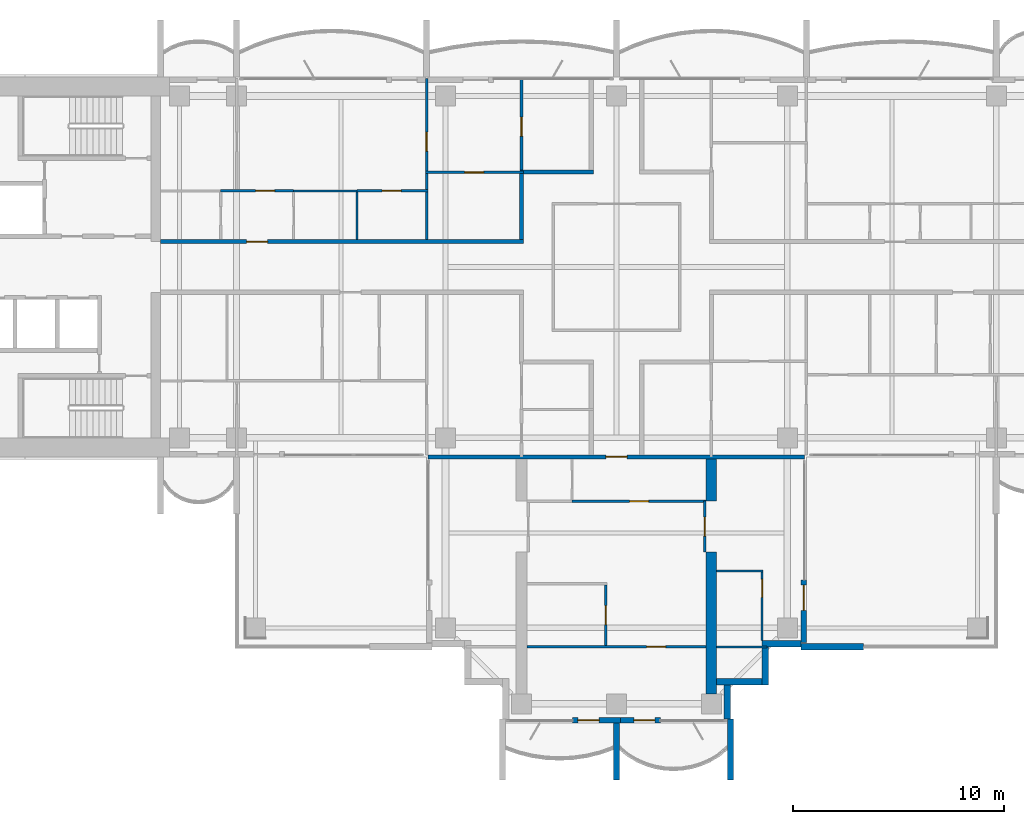
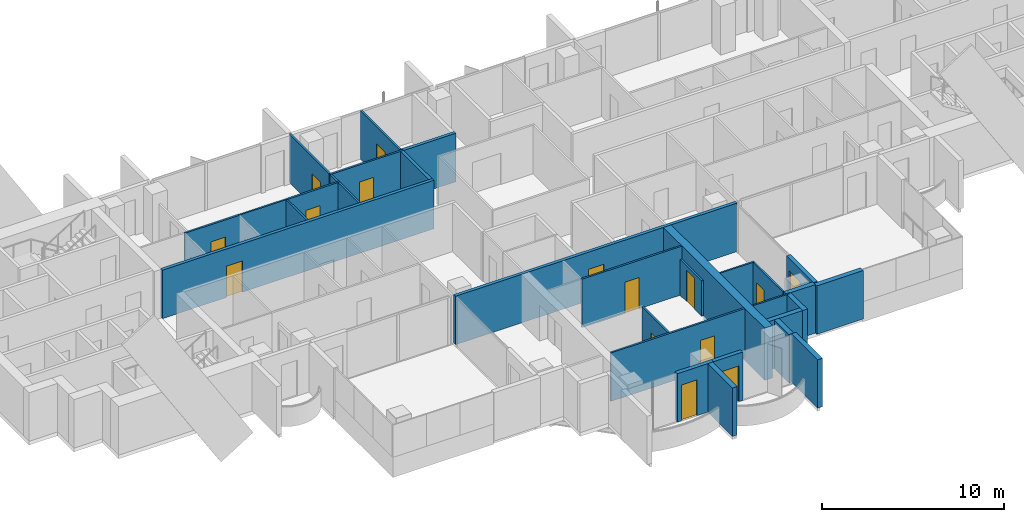
# One storey, part 10 of 17: 29 walls, 15 doors, 15 openings.
"""IFC4 building model written with IfcOpenShell, lengths in metres."""

import ifcopenshell
import ifcopenshell.guid

model = None  # the IFC model being written
_history = None  # IfcOwnerHistory: only IFC2X3 demands one
_inside = {}  # id of a spatial element -> (the spatial element, [elements in it])
_under = {}  # id of a project, library or spatial element -> (it, [spatial elements below it])
_declared = {}  # id of a project -> (the project, [libraries it declares])
_typed = {}  # id of a type object -> (the type object, [elements of that type])
_made_of = {}  # id of a material, layer set ... -> (it, [elements and type objects made of it])


def new_model(schema):
    """Start an empty IFC model of exactly this schema.

    Asked for "IFC4X3", IfcOpenShell would pick the latest addendum, in which some entities
    have other attributes; the version numbers below select the first issue.
    IFC2X3 requires an IfcOwnerHistory on every rooted entity: one is made here for all.
    """
    global model, _history
    if schema == "IFC4X3":
        model = ifcopenshell.file(schema_version=(4, 3, 0, 0))
    else:
        model = ifcopenshell.file(schema=schema)
    _inside.clear()
    _under.clear()
    _declared.clear()
    _typed.clear()
    _made_of.clear()
    _history = None
    if model.schema == "IFC2X3":
        org = make("IfcOrganization", Name="unknown")
        user = make(
            "IfcPersonAndOrganization",
            ThePerson=make("IfcPerson", FamilyName="unknown"),
            TheOrganization=org,
        )
        app = make(
            "IfcApplication",
            ApplicationDeveloper=org,
            Version="unknown",
            ApplicationFullName="unknown",
            ApplicationIdentifier="unknown",
        )
        _history = make(
            "IfcOwnerHistory",
            OwningUser=user,
            OwningApplication=app,
            ChangeAction="ADDED",
            CreationDate=0,
        )
    return model


def make(cls, **values):
    """One entity of the class cls with the attributes given. An attribute that is None is left unset."""
    return model.create_entity(
        cls, **{name: value for name, value in values.items() if value is not None}
    )


def rooted(cls, **values):
    """An entity with a GlobalId (a new one), such as an element, a storey or a relation."""
    return make(cls, GlobalId=ifcopenshell.guid.new(), OwnerHistory=_history, **values)


def si_unit(unit_type, name, prefix=None):
    """IfcSIUnit, for example si_unit("LENGTHUNIT", "METRE", prefix="MILLI")."""
    return make("IfcSIUnit", UnitType=unit_type, Prefix=prefix, Name=name)


def assignment(units):
    """IfcUnitAssignment: the units of a project."""
    return None if units is None else make("IfcUnitAssignment", Units=units)


def point(xyz):
    """IfcCartesianPoint."""
    return None if xyz is None else make("IfcCartesianPoint", Coordinates=xyz)


def direction(xyz):
    """IfcDirection."""
    return None if xyz is None else make("IfcDirection", DirectionRatios=xyz)


def frame(location, z_axis=None, x_axis=None):
    """IfcAxis2Placement3D, a coordinate frame: its origin and axes. An axis left out is left unset."""
    return make(
        "IfcAxis2Placement3D",
        Location=point(location),
        Axis=direction(z_axis),
        RefDirection=direction(x_axis),
    )


def frame_2d(location, x_axis=None):
    """IfcAxis2Placement2D, a coordinate frame in the plane: its origin and x axis."""
    return make(
        "IfcAxis2Placement2D", Location=point(location), RefDirection=direction(x_axis)
    )


def origin():
    """The frame at (0, 0, 0) with its axes left unset."""
    return frame((0.0, 0.0, 0.0))


def place(relative_to, where):
    """IfcLocalPlacement: puts the frame where relative to a parent placement (None: the world)."""
    return make(
        "IfcLocalPlacement", PlacementRelTo=relative_to, RelativePlacement=where
    )


def context(
    kind, dimensions, precision=None, world=None, true_north=None, identifier=None
):
    """IfcGeometricRepresentationContext, for example the 3D "Model" context."""
    return make(
        "IfcGeometricRepresentationContext",
        ContextIdentifier=identifier,
        ContextType=kind,
        CoordinateSpaceDimension=dimensions,
        Precision=precision,
        WorldCoordinateSystem=world,
        TrueNorth=true_north,
    )


def subcontext(parent, identifier, kind, view, scale=None):
    """IfcGeometricRepresentationSubContext, for example "Body" below "Model"."""
    return make(
        "IfcGeometricRepresentationSubContext",
        ContextIdentifier=identifier,
        ContextType=kind,
        ParentContext=parent,
        TargetScale=scale,
        TargetView=view,
    )


def project(units=None, contexts=None):
    """IfcProject with its units and contexts."""
    return rooted(
        "IfcProject",
        Name="project",
        RepresentationContexts=contexts,
        UnitsInContext=assignment(units),
    )


def spatial(cls, under=None, at=None, **own):
    """A site, building, storey or space (cls), placed at a placement, below another one or the project."""
    s = rooted(cls, ObjectPlacement=at, **own)
    if under is not None:
        _under.setdefault(under.id(), (under, []))[1].append(s)
    return s


def polyline(points):
    """IfcPolyline through the points."""
    return make("IfcPolyline", Points=[point(p) for p in points])


def profile(cls, at=None, kind="AREA", **sizes):
    """A parametric profile (cls). Its sizes go by their IFC names, for example OverallWidth=200.0."""
    return make(cls, ProfileType=kind, Position=at, **sizes)


def rectangle(**sizes):
    """IfcRectangleProfileDef."""
    return profile("IfcRectangleProfileDef", **sizes)


def outline(outer, holes=None, kind="AREA"):
    """IfcArbitraryClosedProfileDef: a profile drawn as a closed curve; with holes, ...WithVoids."""
    if holes is None:
        return make("IfcArbitraryClosedProfileDef", ProfileType=kind, OuterCurve=outer)
    return make(
        "IfcArbitraryProfileDefWithVoids",
        ProfileType=kind,
        OuterCurve=outer,
        InnerCurves=holes,
    )


def extrude(swept, where, along, depth):
    """IfcExtrudedAreaSolid: the profile swept, set in the frame where, extruded along a direction by depth."""
    return make(
        "IfcExtrudedAreaSolid",
        SweptArea=swept,
        Position=where,
        ExtrudedDirection=direction(along),
        Depth=depth,
    )


def shape(context_of_items, identifier, shape_type, items):
    """IfcShapeRepresentation: the items that make up one representation, for example the "Body"."""
    return make(
        "IfcShapeRepresentation",
        ContextOfItems=context_of_items,
        RepresentationIdentifier=identifier,
        RepresentationType=shape_type,
        Items=items,
    )


def material(Name=None, Category=None):
    """IfcMaterial."""
    return make("IfcMaterial", Name=Name, Category=Category)


def layer(
    of_material, thickness, ventilated=None, Name=None, Category=None, Priority=None
):
    """IfcMaterialLayer: one layer of a wall or slab, of a material (None: an air gap)."""
    return make(
        "IfcMaterialLayer",
        Material=of_material,
        LayerThickness=thickness,
        IsVentilated=ventilated,
        Name=Name,
        Category=Category,
        Priority=Priority,
    )


def layer_set(layers, Name=None):
    """IfcMaterialLayerSet."""
    return make("IfcMaterialLayerSet", MaterialLayers=layers, LayerSetName=Name)


def material_profile(
    of_material, cross_section, Name=None, Category=None, Priority=None
):
    """IfcMaterialProfile: a cross section and its material."""
    return make(
        "IfcMaterialProfile",
        Name=Name,
        Material=of_material,
        Profile=cross_section,
        Priority=Priority,
        Category=Category,
    )


def profile_set(profiles, Name=None, composite=None):
    """IfcMaterialProfileSet."""
    return make(
        "IfcMaterialProfileSet",
        Name=Name,
        MaterialProfiles=profiles,
        CompositeProfile=composite,
    )


def made_of(thing, what):
    """Note that an element or type object is made of a material, layer set ...; save() writes the relation."""
    if what is not None:
        _made_of.setdefault(what.id(), (what, []))[1].append(thing)
    return thing


def type_object(cls, material=None, **own):
    """A type object (cls), such as IfcWallType, which elements share."""
    return made_of(rooted(cls, **own), material)


def element(
    cls,
    number,
    at=None,
    inside=None,
    cuts=None,
    type_object=None,
    material=None,
    context=None,
    identifier="Body",
    shape_type=None,
    held_by="IfcProductDefinitionShape",
    body=None,
    shapes=None,
    **own,
):
    """One element of the class cls, such as IfcWall. Its Tag is "e" and its number.

    at: its placement. inside: the storey or other place that contains it. cuts: it is an
    opening in that element (IfcRelVoidsElement). A single representation is given by context,
    identifier, shape_type and body (its items); several are given by shapes. held_by: the class
    of the entity that holds the representations. save() writes the other relations.
    """
    e = rooted(cls, Tag="e%d" % number, ObjectPlacement=at, **own)
    if body is not None:
        shapes = [shape(context, identifier, shape_type, body)]
    if shapes is not None:
        e.Representation = make(held_by, Representations=shapes)
    if inside is not None:
        _inside.setdefault(inside.id(), (inside, []))[1].append(e)
    if cuts is not None:
        rooted(
            "IfcRelVoidsElement", RelatingBuildingElement=cuts, RelatedOpeningElement=e
        )
    if type_object is not None:
        _typed.setdefault(type_object.id(), (type_object, []))[1].append(e)
    return made_of(e, material)


def fill(opening, filler):
    """IfcRelFillsElement: the door or window that sits in an opening."""
    return rooted(
        "IfcRelFillsElement",
        RelatingOpeningElement=opening,
        RelatedBuildingElement=filler,
    )


def aggregate(whole, parts):
    """IfcRelAggregates: a whole, such as a stair, and the parts it consists of."""
    return rooted("IfcRelAggregates", RelatingObject=whole, RelatedObjects=parts)


def save(model, path):
    """Write the relations noted so far, then the file.

    IfcRelAggregates (storeys below a building ...), IfcRelContainedInSpatialStructure (elements
    in a storey), IfcRelDefinesByType, IfcRelAssociatesMaterial and IfcRelDeclares: one each for
    every whole, place, type object, material and project.
    """
    for whole, parts in _under.values():
        aggregate(whole, parts)
    for where, things in _inside.values():
        rooted(
            "IfcRelContainedInSpatialStructure",
            RelatedElements=things,
            RelatingStructure=where,
        )
    for kind, things in _typed.values():
        rooted("IfcRelDefinesByType", RelatedObjects=things, RelatingType=kind)
    for what, things in _made_of.values():
        rooted("IfcRelAssociatesMaterial", RelatedObjects=things, RelatingMaterial=what)
    for by, libraries in _declared.values():
        rooted("IfcRelDeclares", RelatingContext=by, RelatedDefinitions=libraries)
    model.write(path)


model = new_model("IFC4")

# Units and contexts
model_context = context("Model", 3, precision=1e-05, world=origin(), true_north=direction((0.0, 1.0)))
body_context = subcontext(model_context, "Body", "Model", "MODEL_VIEW")
ifc_project = project(units=[si_unit("LENGTHUNIT", "METRE"), si_unit("AREAUNIT", "SQUARE_METRE"), si_unit("VOLUMEUNIT", "CUBIC_METRE"), si_unit("PLANEANGLEUNIT", "RADIAN"), si_unit("MASSUNIT", "GRAM", prefix="KILO")], contexts=[model_context])

# Site, building, storey
site_placement = place(None, origin())
site = spatial("IfcSite", under=ifc_project, at=site_placement, CompositionType="ELEMENT")
building_placement = place(site_placement, origin())
building = spatial("IfcBuilding", under=site, at=building_placement, Name="Perihelion Cross Residences", CompositionType="ELEMENT")
storey_placement = place(building_placement, frame((0.0, 0.0, 208.60009765625)))
storey = spatial("IfcBuildingStorey", under=building, at=storey_placement, Name="L52", CompositionType="ELEMENT", Elevation=208.60009765625)

# Wall, opening, door
ifc_material_1 = material(Name="Plasterboard partition")
ifc_layer_1 = layer(ifc_material_1, 0.199951171875)
ifc_layer_set_1 = layer_set([ifc_layer_1], Name="Apartment separation wall 200")
wall_type_1 = type_object("IfcWallType", Name="Apartment separation wall 200", PredefinedType="PARTITIONING", material=ifc_layer_set_1)
wall_1_placement = place(storey_placement, frame((-21.60009765625, 1.199951171875, 0.0), z_axis=(0.0, 0.0, 1.0), x_axis=(1.0, 0.0, 0.0)))
wall_1 = element("IfcWall", 1, at=wall_1_placement, inside=storey, type_object=wall_type_1, Name="Partition L52 W013", PredefinedType="PARTITIONING", context=body_context, shape_type="SweptSolid", body=[
    extrude(rectangle(XDim=17.2001953125, YDim=0.199951171875, at=frame_2d((8.60009765625, 0.0))), origin(), (0.0, 0.0, 1.0), 3.25),
])
opening_1_placement = place(wall_1_placement, frame((4.074951171875, 0.0, 0.0)))
opening_1 = element("IfcOpeningElement", 2, at=opening_1_placement, cuts=wall_1, Name="Opening L52.A43", PredefinedType="OPENING", context=body_context, shape_type="SweptSolid", body=[
    extrude(rectangle(XDim=1.0, YDim=2.10009765625, at=frame_2d((0.5, 1.050048828125))), frame((0.0, 0.10986328125, 0.0), z_axis=(0.0, -1.0, 0.0), x_axis=(1.0, 0.0, 0.0)), (0.0, 0.0, 1.0), 0.219970703125),
])
ifc_material_2 = material(Name="Timber door leaf", Category="wood")
door_type_1 = type_object("IfcDoorType", Name="Flat entrance door 1000 x 2100", OperationType="SINGLE_SWING_LEFT", PredefinedType="DOOR", material=ifc_material_2)
door_1_placement = place(opening_1_placement, origin())
door_1 = element("IfcDoor", 3, at=door_1_placement, inside=storey, type_object=door_type_1, Name="Door L52.A43", OperationType="SINGLE_SWING_LEFT", OverallHeight=2.10009765625, OverallWidth=1.0, PredefinedType="DOOR", context=body_context, shape_type="SweptSolid", body=[
    extrude(rectangle(XDim=1.0, YDim=2.10009765625, at=frame_2d((0.5, 1.050048828125))), frame((0.0, 0.02490234375, 0.0), z_axis=(0.0, -1.0, 0.0), x_axis=(1.0, 0.0, 0.0)), (0.0, 0.0, 1.0), 0.050048828125),
])
fill(opening_1, door_1)

# Walls
wall_2_placement = place(storey_placement, frame((-4.5, 1.300048828125, 0.0), z_axis=(0.0, 0.0, 1.0), x_axis=(0.0, 1.0, 0.0)))
element("IfcWall", 4, at=wall_2_placement, inside=storey, type_object=wall_type_1, Name="Partition L52 W014", PredefinedType="PARTITIONING", context=body_context, shape_type="SweptSolid", body=[
    extrude(rectangle(XDim=3.115966796875, YDim=0.199951171875, at=frame_2d((1.55810546875, 0.0))), origin(), (0.0, 0.0, 1.0), 3.25),
])
wall_3_placement = place(storey_placement, frame((-4.56005859375, 4.5, 0.0), z_axis=(0.0, 0.0, 1.0), x_axis=(1.0, 0.0, 0.0)))
element("IfcWall", 5, at=wall_3_placement, inside=storey, type_object=wall_type_1, Name="Partition L52 W015", PredefinedType="PARTITIONING", context=body_context, shape_type="SweptSolid", body=[
    extrude(rectangle(XDim=3.4599609375, YDim=0.199951171875, at=frame_2d((1.72998046875, 0.0))), origin(), (0.0, 0.0, 1.0), 3.25),
])

# Wall, opening, door
wall_4_placement = place(storey_placement, frame((8.919921875, -9.0, 0.0), z_axis=(0.0, 0.0, 1.0), x_axis=(-1.0, 0.0, 0.0)))
wall_4 = element("IfcWall", 6, at=wall_4_placement, inside=storey, type_object=wall_type_1, Name="Partition L52 W021", PredefinedType="PARTITIONING", context=body_context, shape_type="SweptSolid", body=[
    extrude(rectangle(XDim=17.83984375, YDim=0.199951171875, at=frame_2d((8.919921875, 0.0))), origin(), (0.0, 0.0, 1.0), 3.25),
])
opening_2_placement = place(wall_4_placement, frame((8.419921875, 0.0, 0.0)))
opening_2 = element("IfcOpeningElement", 7, at=opening_2_placement, cuts=wall_4, Name="Opening L52.A35", PredefinedType="OPENING", context=body_context, shape_type="SweptSolid", body=[
    extrude(rectangle(XDim=1.0, YDim=2.10009765625, at=frame_2d((0.5, 1.050048828125))), frame((0.0, 0.10986328125, 0.0), z_axis=(0.0, -1.0, 0.0), x_axis=(1.0, 0.0, 0.0)), (0.0, 0.0, 1.0), 0.219970703125),
])
door_2_placement = place(opening_2_placement, origin())
door_2 = element("IfcDoor", 8, at=door_2_placement, inside=storey, type_object=door_type_1, Name="Door L52.A35", OperationType="SINGLE_SWING_LEFT", OverallHeight=2.10009765625, OverallWidth=1.0, PredefinedType="DOOR", context=body_context, shape_type="SweptSolid", body=[
    extrude(rectangle(XDim=1.0, YDim=2.10009765625, at=frame_2d((0.5, 1.050048828125))), frame((0.0, 0.02490234375, 0.0), z_axis=(0.0, -1.0, 0.0), x_axis=(1.0, 0.0, 0.0)), (0.0, 0.0, 1.0), 0.050048828125),
])
fill(opening_2, door_2)

ifc_material_3 = material(Name="Concrete C30/37, bronze-clad", Category="concrete")
ifc_layer_2 = layer(ifc_material_3, 0.25)
ifc_layer_set_2 = layer_set([ifc_layer_2], Name="Bronze-clad pier wall 250")
wall_type_2 = type_object("IfcWallType", Name="Bronze-clad pier wall 250", PredefinedType="SOLIDWALL", material=ifc_layer_set_2)
wall_5_placement = place(storey_placement, frame((-2.074951171875, -21.47509765625, 0.0), z_axis=(0.0, 0.0, 1.0), x_axis=(1.0, 0.0, 0.0)))
wall_5 = element("IfcWall", 9, at=wall_5_placement, inside=storey, type_object=wall_type_2, Name="Wall FW1 L52 south tip south bay 1 pier", PredefinedType="SOLIDWALL", context=body_context, shape_type="SweptSolid", body=[
    extrude(rectangle(XDim=2.27490234375, YDim=0.25, at=frame_2d((1.137451171875, 0.0))), origin(), (0.0, 0.0, 1.0), 3.25),
])
opening_3_placement = place(wall_5_placement, frame((0.25, 0.0, 0.0)))
opening_3 = element("IfcOpeningElement", 10, at=opening_3_placement, cuts=wall_5, Name="Opening L52.E10", PredefinedType="OPENING", context=body_context, shape_type="SweptSolid", body=[
    extrude(rectangle(XDim=1.0, YDim=2.39990234375, at=frame_2d((0.5, 1.199951171875))), frame((0.0, 0.135009765625, 0.0), z_axis=(0.0, -1.0, 0.0), x_axis=(1.0, 0.0, 0.0)), (0.0, 0.0, 1.0), 0.27001953125),
])
ifc_material_4 = material(Name="Bronze anodised aluminium, glazed", Category="aluminium")
door_type_2 = type_object("IfcDoorType", Name="Balcony door 1000 x 2400", OperationType="NOTDEFINED", PredefinedType="DOOR", material=ifc_material_4)
door_3_placement = place(opening_3_placement, origin())
door_3 = element("IfcDoor", 11, at=door_3_placement, inside=storey, type_object=door_type_2, Name="Door L52.E10 south tip south bay 1", OperationType="SINGLE_SWING_RIGHT", OverallHeight=2.39990234375, OverallWidth=1.0, PredefinedType="DOOR", context=body_context, shape_type="SweptSolid", body=[
    extrude(rectangle(XDim=1.0, YDim=2.39990234375, at=frame_2d((0.5, 1.199951171875))), frame((0.0, 0.02490234375, 0.0), z_axis=(0.0, -1.0, 0.0), x_axis=(1.0, 0.0, 0.0)), (0.0, 0.0, 1.0), 0.050048828125),
])
fill(opening_3, door_3)

wall_6_placement = place(storey_placement, frame((0.199951171875, -21.47509765625, 0.0), z_axis=(0.0, 0.0, 1.0), x_axis=(1.0, 0.0, 0.0)))
wall_6 = element("IfcWall", 12, at=wall_6_placement, inside=storey, type_object=wall_type_2, Name="Wall FW1 L52 south tip south bay 2 pier", PredefinedType="SOLIDWALL", context=body_context, shape_type="SweptSolid", body=[
    extrude(rectangle(XDim=1.875, YDim=0.25, at=frame_2d((0.9375, 0.0))), origin(), (0.0, 0.0, 1.0), 3.25),
])
opening_4_placement = place(wall_6_placement, frame((0.625, 0.0, 0.0)))
opening_4 = element("IfcOpeningElement", 13, at=opening_4_placement, cuts=wall_6, Name="Opening L52.E11", PredefinedType="OPENING", context=body_context, shape_type="SweptSolid", body=[
    extrude(rectangle(XDim=1.0, YDim=2.39990234375, at=frame_2d((0.5, 1.199951171875))), frame((0.0, 0.135009765625, 0.0), z_axis=(0.0, -1.0, 0.0), x_axis=(1.0, 0.0, 0.0)), (0.0, 0.0, 1.0), 0.27001953125),
])
door_4_placement = place(opening_4_placement, origin())
door_4 = element("IfcDoor", 14, at=door_4_placement, inside=storey, type_object=door_type_2, Name="Door L52.E11 south tip south bay 2", OperationType="SINGLE_SWING_LEFT", OverallHeight=2.39990234375, OverallWidth=1.0, PredefinedType="DOOR", context=body_context, shape_type="SweptSolid", body=[
    extrude(rectangle(XDim=1.0, YDim=2.39990234375, at=frame_2d((0.5, 1.199951171875))), frame((0.0, 0.02490234375, 0.0), z_axis=(0.0, -1.0, 0.0), x_axis=(1.0, 0.0, 0.0)), (0.0, 0.0, 1.0), 0.050048828125),
])
fill(opening_4, door_4)

wall_7_placement = place(storey_placement, frame((8.875, -17.800048828125, 0.0), z_axis=(0.0, 0.0, 1.0), x_axis=(0.0, 1.0, 0.0)))
wall_7 = element("IfcWall", 15, at=wall_7_placement, inside=storey, type_object=wall_type_2, Name="Wall FW1 L52 south side east bay 1 pier", PredefinedType="SOLIDWALL", context=body_context, shape_type="SweptSolid", body=[
    extrude(rectangle(XDim=2.97509765625, YDim=0.25, at=frame_2d((1.487548828125, 0.0))), origin(), (0.0, 0.0, 1.0), 3.25),
])
opening_5_placement = place(wall_7_placement, frame((1.52490234375, 0.0, 0.0)))
opening_5 = element("IfcOpeningElement", 16, at=opening_5_placement, cuts=wall_7, Name="Opening L52.E12", PredefinedType="OPENING", context=body_context, shape_type="SweptSolid", body=[
    extrude(rectangle(XDim=1.199951171875, YDim=2.39990234375, at=frame_2d((0.60009765625, 1.199951171875))), frame((0.0, 0.135009765625, 0.0), z_axis=(0.0, -1.0, 0.0), x_axis=(1.0, 0.0, 0.0)), (0.0, 0.0, 1.0), 0.27001953125),
])
ifc_material_5 = material(Name="Bronze anodised aluminium, glazed", Category="aluminium")
door_type_3 = type_object("IfcDoorType", Name="Balcony door 1200 x 2400", OperationType="NOTDEFINED", PredefinedType="DOOR", material=ifc_material_5)
door_5_placement = place(opening_5_placement, origin())
door_5 = element("IfcDoor", 17, at=door_5_placement, inside=storey, type_object=door_type_3, Name="Door L52.E12 south side east bay 1", OperationType="SINGLE_SWING_RIGHT", OverallHeight=2.39990234375, OverallWidth=1.199951171875, PredefinedType="DOOR", context=body_context, shape_type="SweptSolid", body=[
    extrude(rectangle(XDim=1.199951171875, YDim=2.39990234375, at=frame_2d((0.60009765625, 1.199951171875))), frame((0.0, 0.02490234375, 0.0), z_axis=(0.0, -1.0, 0.0), x_axis=(1.0, 0.0, 0.0)), (0.0, 0.0, 1.0), 0.050048828125),
])
fill(opening_5, door_5)

# Walls
ifc_material_6 = material(Name="Concrete C30/37, bronze-clad", Category="concrete")
ifc_layer_3 = layer(ifc_material_6, 0.300048828125)
ifc_layer_set_3 = layer_set([ifc_layer_3], Name="Bronze-clad serration wall 300")
wall_type_3 = type_object("IfcWallType", Name="Bronze-clad serration wall 300", PredefinedType="SOLIDWALL", material=ifc_layer_set_3)
wall_8_placement = place(storey_placement, frame((5.25, -21.419921875, 0.0), z_axis=(0.0, 0.0, 1.0), x_axis=(0.0, 1.0, 0.0)))
element("IfcWall", 18, at=wall_8_placement, inside=storey, type_object=wall_type_3, Name="Wall SR1 L52 south corner south-east 1", PredefinedType="SOLIDWALL", context=body_context, shape_type="SweptSolid", body=[
    extrude(rectangle(XDim=1.619873046875, YDim=0.300048828125, at=frame_2d((0.81005859375, 0.0))), origin(), (0.0, 0.0, 1.0), 3.25),
])
wall_9_placement = place(storey_placement, frame((4.75, -19.64990234375, 0.0), z_axis=(0.0, 0.0, 1.0), x_axis=(1.0, 0.0, 0.0)))
element("IfcWall", 19, at=wall_9_placement, inside=storey, type_object=wall_type_3, Name="Wall SR1 L52 south corner south-east 2", PredefinedType="SOLIDWALL", context=body_context, shape_type="SweptSolid", body=[
    extrude(rectangle(XDim=2.14990234375, YDim=0.300048828125, at=frame_2d((1.074951171875, 0.0))), origin(), (0.0, 0.0, 1.0), 3.25),
])
wall_10_placement = place(storey_placement, frame((7.050048828125, -19.800048828125, 0.0), z_axis=(0.0, 0.0, 1.0), x_axis=(0.0, 1.0, 0.0)))
element("IfcWall", 20, at=wall_10_placement, inside=storey, type_object=wall_type_3, Name="Wall SR1 L52 south corner south-east 3", PredefinedType="SOLIDWALL", context=body_context, shape_type="SweptSolid", body=[
    extrude(rectangle(XDim=1.800048828125, YDim=0.300048828125, at=frame_2d((0.89990234375, 0.0))), origin(), (0.0, 0.0, 1.0), 3.25),
])
wall_11_placement = place(storey_placement, frame((6.89990234375, -17.85009765625, 0.0), z_axis=(0.0, 0.0, 1.0), x_axis=(1.0, 0.0, 0.0)))
element("IfcWall", 21, at=wall_11_placement, inside=storey, type_object=wall_type_3, Name="Wall SR1 L52 south corner south-east 4", PredefinedType="SOLIDWALL", context=body_context, shape_type="SweptSolid", body=[
    extrude(rectangle(XDim=1.85009765625, YDim=0.300048828125, at=frame_2d((0.925048828125, 0.0))), origin(), (0.0, 0.0, 1.0), 3.25),
])

# Wall, opening, door
ifc_material_7 = material(Name="Plasterboard partition")
ifc_layer_4 = layer(ifc_material_7, 0.1201171875)
ifc_layer_set_4 = layer_set([ifc_layer_4], Name="Infill panel 120")
wall_type_4 = type_object("IfcWallType", Name="Infill panel 120", PredefinedType="PARTITIONING", material=ifc_layer_set_4)
wall_12_placement = place(storey_placement, frame((4.18994140625, -11.10009765625, 0.0), z_axis=(0.0, 0.0, 1.0), x_axis=(0.0, -1.0, 0.0)))
wall_12 = element("IfcWall", 22, at=wall_12_placement, inside=storey, type_object=wall_type_4, Name="Partition L52 WI01", PredefinedType="PARTITIONING", context=body_context, shape_type="SweptSolid", body=[
    extrude(rectangle(XDim=2.39990234375, YDim=0.1201171875, at=frame_2d((1.199951171875, 0.0))), origin(), (0.0, 0.0, 1.0), 2.39990234375),
])
opening_6_placement = place(wall_12_placement, frame((0.75, 0.0, 0.0)))
opening_6 = element("IfcOpeningElement", 23, at=opening_6_placement, cuts=wall_12, Name="Opening L52.A45", PredefinedType="OPENING", context=body_context, shape_type="SweptSolid", body=[
    extrude(rectangle(XDim=0.89990234375, YDim=2.10009765625, at=frame_2d((0.449951171875, 1.050048828125))), frame((0.0, 0.070068359375, 0.0), z_axis=(0.0, -1.0, 0.0), x_axis=(1.0, 0.0, 0.0)), (0.0, 0.0, 1.0), 0.14013671875),
])
ifc_material_8 = material(Name="Timber door leaf", Category="wood")
door_type_4 = type_object("IfcDoorType", Name="Interior room door 900 x 2100", OperationType="SINGLE_SWING_LEFT", PredefinedType="DOOR", material=ifc_material_8)
door_6_placement = place(opening_6_placement, origin())
door_6 = element("IfcDoor", 24, at=door_6_placement, inside=storey, type_object=door_type_4, Name="Door L52.A45", OperationType="SINGLE_SWING_RIGHT", OverallHeight=2.10009765625, OverallWidth=0.89990234375, PredefinedType="DOOR", context=body_context, shape_type="SweptSolid", body=[
    extrude(rectangle(XDim=0.89990234375, YDim=2.10009765625, at=frame_2d((0.449951171875, 1.050048828125))), frame((0.0, 0.02490234375, 0.0), z_axis=(0.0, -1.0, 0.0), x_axis=(1.0, 0.0, 0.0)), (0.0, 0.0, 1.0), 0.050048828125),
])
fill(opening_6, door_6)

ifc_material_9 = material(Name="Plasterboard partition")
ifc_layer_5 = layer(ifc_material_9, 0.1201171875)
ifc_layer_set_5 = layer_set([ifc_layer_5], Name="Partition wall 120")
wall_type_5 = type_object("IfcWallType", Name="Partition wall 120", PredefinedType="PARTITIONING", material=ifc_layer_set_5)
wall_13_placement = place(storey_placement, frame((-12.300048828125, 3.60009765625, 0.0), z_axis=(0.0, 0.0, 1.0), x_axis=(1.0, 0.0, 0.0)))
wall_13 = element("IfcWall", 25, at=wall_13_placement, inside=storey, type_object=wall_type_5, Name="Partition L52 W043", PredefinedType="PARTITIONING", context=body_context, shape_type="SweptSolid", body=[
    extrude(rectangle(XDim=3.360107421875, YDim=0.1201171875, at=frame_2d((1.68017578125, 0.0))), origin(), (0.0, 0.0, 1.0), 3.25),
])
opening_7_placement = place(wall_13_placement, frame((1.199951171875, 0.0, 0.0)))
opening_7 = element("IfcOpeningElement", 26, at=opening_7_placement, cuts=wall_13, Name="Opening L52.A21", PredefinedType="OPENING", context=body_context, shape_type="SweptSolid", body=[
    extrude(rectangle(XDim=0.89990234375, YDim=2.10009765625, at=frame_2d((0.449951171875, 1.050048828125))), frame((0.0, 0.070068359375, 0.0), z_axis=(0.0, -1.0, 0.0), x_axis=(1.0, 0.0, 0.0)), (0.0, 0.0, 1.0), 0.14013671875),
])
door_7_placement = place(opening_7_placement, origin())
door_7 = element("IfcDoor", 27, at=door_7_placement, inside=storey, type_object=door_type_4, Name="Door L52.A21", OperationType="SINGLE_SWING_RIGHT", OverallHeight=2.10009765625, OverallWidth=0.89990234375, PredefinedType="DOOR", context=body_context, shape_type="SweptSolid", body=[
    extrude(rectangle(XDim=0.89990234375, YDim=2.10009765625, at=frame_2d((0.449951171875, 1.050048828125))), frame((0.0, 0.02490234375, 0.0), z_axis=(0.0, -1.0, 0.0), x_axis=(1.0, 0.0, 0.0)), (0.0, 0.0, 1.0), 0.050048828125),
])
fill(opening_7, door_7)

wall_14_placement = place(storey_placement, frame((-9.0, 8.919921875, 0.0), z_axis=(0.0, 0.0, 1.0), x_axis=(0.0, -1.0, 0.0)))
wall_14 = element("IfcWall", 28, at=wall_14_placement, inside=storey, type_object=wall_type_5, Name="Partition L52 W044", PredefinedType="PARTITIONING", context=body_context, shape_type="SweptSolid", body=[
    extrude(rectangle(XDim=7.619873046875, YDim=0.1201171875, at=frame_2d((3.81005859375, 0.0))), origin(), (0.0, 0.0, 1.0), 3.25),
])
opening_8_placement = place(wall_14_placement, frame((2.531982421875, 0.0, 0.0)))
opening_8 = element("IfcOpeningElement", 29, at=opening_8_placement, cuts=wall_14, Name="Opening L52.A24", PredefinedType="OPENING", context=body_context, shape_type="SweptSolid", body=[
    extrude(rectangle(XDim=0.89990234375, YDim=2.10009765625, at=frame_2d((0.449951171875, 1.050048828125))), frame((0.0, 0.070068359375, 0.0), z_axis=(0.0, -1.0, 0.0), x_axis=(1.0, 0.0, 0.0)), (0.0, 0.0, 1.0), 0.14013671875),
])
door_8_placement = place(opening_8_placement, origin())
door_8 = element("IfcDoor", 30, at=door_8_placement, inside=storey, type_object=door_type_4, Name="Door L52.A24", OperationType="SINGLE_SWING_RIGHT", OverallHeight=2.10009765625, OverallWidth=0.89990234375, PredefinedType="DOOR", context=body_context, shape_type="SweptSolid", body=[
    extrude(rectangle(XDim=0.89990234375, YDim=2.10009765625, at=frame_2d((0.449951171875, 1.050048828125))), frame((0.0, 0.02490234375, 0.0), z_axis=(0.0, -1.0, 0.0), x_axis=(1.0, 0.0, 0.0)), (0.0, 0.0, 1.0), 0.050048828125),
])
fill(opening_8, door_8)

wall_15_placement = place(storey_placement, frame((-18.75, 3.60009765625, 0.0), z_axis=(0.0, 0.0, 1.0), x_axis=(1.0, 0.0, 0.0)))
wall_15 = element("IfcWall", 31, at=wall_15_placement, inside=storey, type_object=wall_type_5, Name="Partition L52 W048", PredefinedType="PARTITIONING", context=body_context, shape_type="SweptSolid", body=[
    extrude(rectangle(XDim=3.449951171875, YDim=0.1201171875, at=frame_2d((1.72509765625, 0.0))), origin(), (0.0, 0.0, 1.0), 3.25),
])
opening_9_placement = place(wall_15_placement, frame((1.64990234375, 0.0, 0.0)))
opening_9 = element("IfcOpeningElement", 32, at=opening_9_placement, cuts=wall_15, Name="Opening L52.A25", PredefinedType="OPENING", context=body_context, shape_type="SweptSolid", body=[
    extrude(rectangle(XDim=0.89990234375, YDim=2.10009765625, at=frame_2d((0.449951171875, 1.050048828125))), frame((0.0, 0.070068359375, 0.0), z_axis=(0.0, -1.0, 0.0), x_axis=(1.0, 0.0, 0.0)), (0.0, 0.0, 1.0), 0.14013671875),
])
door_9_placement = place(opening_9_placement, origin())
door_9 = element("IfcDoor", 33, at=door_9_placement, inside=storey, type_object=door_type_4, Name="Door L52.A25", OperationType="SINGLE_SWING_LEFT", OverallHeight=2.10009765625, OverallWidth=0.89990234375, PredefinedType="DOOR", context=body_context, shape_type="SweptSolid", body=[
    extrude(rectangle(XDim=0.89990234375, YDim=2.10009765625, at=frame_2d((0.449951171875, 1.050048828125))), frame((0.0, 0.02490234375, 0.0), z_axis=(0.0, -1.0, 0.0), x_axis=(1.0, 0.0, 0.0)), (0.0, 0.0, 1.0), 0.050048828125),
])
fill(opening_9, door_9)

wall_16_placement = place(storey_placement, frame((-9.06005859375, 4.47607421875, 0.0), z_axis=(0.0, 0.0, 1.0), x_axis=(1.0, 0.0, 0.0)))
wall_16 = element("IfcWall", 34, at=wall_16_placement, inside=storey, type_object=wall_type_5, Name="Partition L52 W051", PredefinedType="PARTITIONING", context=body_context, shape_type="SweptSolid", body=[
    extrude(rectangle(XDim=4.66015625, YDim=0.1201171875, at=frame_2d((2.330078125, 0.0))), origin(), (0.0, 0.0, 1.0), 3.25),
])
opening_10_placement = place(wall_16_placement, frame((1.860107421875, 0.0, 0.0)))
opening_10 = element("IfcOpeningElement", 35, at=opening_10_placement, cuts=wall_16, Name="Opening L52.A22", PredefinedType="OPENING", context=body_context, shape_type="SweptSolid", body=[
    extrude(rectangle(XDim=0.89990234375, YDim=2.10009765625, at=frame_2d((0.449951171875, 1.050048828125))), frame((0.0, 0.070068359375, 0.0), z_axis=(0.0, -1.0, 0.0), x_axis=(1.0, 0.0, 0.0)), (0.0, 0.0, 1.0), 0.14013671875),
])
door_10_placement = place(opening_10_placement, origin())
door_10 = element("IfcDoor", 36, at=door_10_placement, inside=storey, type_object=door_type_4, Name="Door L52.A22", OperationType="SINGLE_SWING_LEFT", OverallHeight=2.10009765625, OverallWidth=0.89990234375, PredefinedType="DOOR", context=body_context, shape_type="SweptSolid", body=[
    extrude(rectangle(XDim=0.89990234375, YDim=2.10009765625, at=frame_2d((0.449951171875, 1.050048828125))), frame((0.0, 0.02490234375, 0.0), z_axis=(0.0, -1.0, 0.0), x_axis=(1.0, 0.0, 0.0)), (0.0, 0.0, 1.0), 0.050048828125),
])
fill(opening_10, door_10)

wall_17_placement = place(storey_placement, frame((-4.5, 8.919921875, 0.0), z_axis=(0.0, 0.0, 1.0), x_axis=(0.0, -1.0, 0.0)))
wall_17 = element("IfcWall", 37, at=wall_17_placement, inside=storey, type_object=wall_type_5, Name="Partition L52 W052", PredefinedType="PARTITIONING", context=body_context, shape_type="SweptSolid", body=[
    extrude(rectangle(XDim=4.31982421875, YDim=0.1201171875, at=frame_2d((2.159912109375, 0.0))), origin(), (0.0, 0.0, 1.0), 3.25),
])
opening_11_placement = place(wall_17_placement, frame((1.820068359375, 0.0, 0.0)))
opening_11 = element("IfcOpeningElement", 38, at=opening_11_placement, cuts=wall_17, Name="Opening L52.A23", PredefinedType="OPENING", context=body_context, shape_type="SweptSolid", body=[
    extrude(rectangle(XDim=0.89990234375, YDim=2.10009765625, at=frame_2d((0.449951171875, 1.050048828125))), frame((0.0, 0.070068359375, 0.0), z_axis=(0.0, -1.0, 0.0), x_axis=(1.0, 0.0, 0.0)), (0.0, 0.0, 1.0), 0.14013671875),
])
door_11_placement = place(opening_11_placement, origin())
door_11 = element("IfcDoor", 39, at=door_11_placement, inside=storey, type_object=door_type_4, Name="Door L52.A23", OperationType="SINGLE_SWING_LEFT", OverallHeight=2.10009765625, OverallWidth=0.89990234375, PredefinedType="DOOR", context=body_context, shape_type="SweptSolid", body=[
    extrude(rectangle(XDim=0.89990234375, YDim=2.10009765625, at=frame_2d((0.449951171875, 1.050048828125))), frame((0.0, 0.02490234375, 0.0), z_axis=(0.0, -1.0, 0.0), x_axis=(1.0, 0.0, 0.0)), (0.0, 0.0, 1.0), 0.050048828125),
])
fill(opening_11, door_11)

wall_18_placement = place(storey_placement, frame((4.25, -11.10009765625, 0.0), z_axis=(0.0, 0.0, 1.0), x_axis=(-1.0, 0.0, 0.0)))
wall_18 = element("IfcWall", 40, at=wall_18_placement, inside=storey, type_object=wall_type_5, Name="Partition L52 W064", PredefinedType="PARTITIONING", context=body_context, shape_type="SweptSolid", body=[
    extrude(rectangle(XDim=6.35009765625, YDim=0.1201171875, at=frame_2d((3.175048828125, 0.0))), origin(), (0.0, 0.0, 1.0), 3.25),
])
opening_12_placement = place(wall_18_placement, frame((2.72509765625, 0.0, 0.0)))
opening_12 = element("IfcOpeningElement", 41, at=opening_12_placement, cuts=wall_18, Name="Opening L52.A37", PredefinedType="OPENING", context=body_context, shape_type="SweptSolid", body=[
    extrude(rectangle(XDim=0.89990234375, YDim=2.10009765625, at=frame_2d((0.449951171875, 1.050048828125))), frame((0.0, 0.070068359375, 0.0), z_axis=(0.0, -1.0, 0.0), x_axis=(1.0, 0.0, 0.0)), (0.0, 0.0, 1.0), 0.14013671875),
])
door_12_placement = place(opening_12_placement, origin())
door_12 = element("IfcDoor", 42, at=door_12_placement, inside=storey, type_object=door_type_4, Name="Door L52.A37", OperationType="SINGLE_SWING_RIGHT", OverallHeight=2.10009765625, OverallWidth=0.89990234375, PredefinedType="DOOR", context=body_context, shape_type="SweptSolid", body=[
    extrude(rectangle(XDim=0.89990234375, YDim=2.10009765625, at=frame_2d((0.449951171875, 1.050048828125))), frame((0.0, 0.02490234375, 0.0), z_axis=(0.0, -1.0, 0.0), x_axis=(1.0, 0.0, 0.0)), (0.0, 0.0, 1.0), 0.050048828125),
])
fill(opening_12, door_12)

wall_19_placement = place(storey_placement, frame((-0.5, -17.93994140625, 0.0), z_axis=(0.0, 0.0, 1.0), x_axis=(0.0, 1.0, 0.0)))
wall_19 = element("IfcWall", 43, at=wall_19_placement, inside=storey, type_object=wall_type_5, Name="Partition L52 W066", PredefinedType="PARTITIONING", context=body_context, shape_type="SweptSolid", body=[
    extrude(rectangle(XDim=2.8798828125, YDim=0.1201171875, at=frame_2d((1.43994140625, 0.0))), origin(), (0.0, 0.0, 1.0), 3.25),
])
opening_13_placement = place(wall_19_placement, frame((0.989990234375, 0.0, 0.0)))
opening_13 = element("IfcOpeningElement", 44, at=opening_13_placement, cuts=wall_19, Name="Opening L52.A38", PredefinedType="OPENING", context=body_context, shape_type="SweptSolid", body=[
    extrude(rectangle(XDim=0.89990234375, YDim=2.10009765625, at=frame_2d((0.449951171875, 1.050048828125))), frame((0.0, 0.070068359375, 0.0), z_axis=(0.0, -1.0, 0.0), x_axis=(1.0, 0.0, 0.0)), (0.0, 0.0, 1.0), 0.14013671875),
])
door_13_placement = place(opening_13_placement, origin())
door_13 = element("IfcDoor", 45, at=door_13_placement, inside=storey, type_object=door_type_4, Name="Door L52.A38", OperationType="SINGLE_SWING_RIGHT", OverallHeight=2.10009765625, OverallWidth=0.89990234375, PredefinedType="DOOR", context=body_context, shape_type="SweptSolid", body=[
    extrude(rectangle(XDim=0.89990234375, YDim=2.10009765625, at=frame_2d((0.449951171875, 1.050048828125))), frame((0.0, 0.02490234375, 0.0), z_axis=(0.0, -1.0, 0.0), x_axis=(1.0, 0.0, 0.0)), (0.0, 0.0, 1.0), 0.050048828125),
])
fill(opening_13, door_13)

wall_20_placement = place(storey_placement, frame((4.25, -18.0, 0.0), z_axis=(0.0, 0.0, 1.0), x_axis=(-1.0, 0.0, 0.0)))
wall_20 = element("IfcWall", 46, at=wall_20_placement, inside=storey, type_object=wall_type_5, Name="Partition L52 W068", PredefinedType="PARTITIONING", context=body_context, shape_type="SweptSolid", body=[
    extrude(rectangle(XDim=8.5, YDim=0.1201171875, at=frame_2d((4.25, 0.0))), origin(), (0.0, 0.0, 1.0), 3.25),
])
opening_14_placement = place(wall_20_placement, frame((1.925048828125, 0.0, 0.0)))
opening_14 = element("IfcOpeningElement", 47, at=opening_14_placement, cuts=wall_20, Name="Opening L52.A39", PredefinedType="OPENING", context=body_context, shape_type="SweptSolid", body=[
    extrude(rectangle(XDim=0.89990234375, YDim=2.10009765625, at=frame_2d((0.449951171875, 1.050048828125))), frame((0.0, 0.070068359375, 0.0), z_axis=(0.0, -1.0, 0.0), x_axis=(1.0, 0.0, 0.0)), (0.0, 0.0, 1.0), 0.14013671875),
])
door_14_placement = place(opening_14_placement, origin())
door_14 = element("IfcDoor", 48, at=door_14_placement, inside=storey, type_object=door_type_4, Name="Door L52.A39", OperationType="SINGLE_SWING_RIGHT", OverallHeight=2.10009765625, OverallWidth=0.89990234375, PredefinedType="DOOR", context=body_context, shape_type="SweptSolid", body=[
    extrude(rectangle(XDim=0.89990234375, YDim=2.10009765625, at=frame_2d((0.449951171875, 1.050048828125))), frame((0.0, 0.02490234375, 0.0), z_axis=(0.0, -1.0, 0.0), x_axis=(1.0, 0.0, 0.0)), (0.0, 0.0, 1.0), 0.050048828125),
])
fill(opening_14, door_14)

# Walls
ifc_material_10 = material(Name="Precast concrete C50/60", Category="concrete")
ifc_layer_6 = layer(ifc_material_10, 0.300048828125)
ifc_layer_set_6 = layer_set([ifc_layer_6], Name="Precast concrete C50/60 blade wall 300")
wall_type_6 = type_object("IfcWallType", Name="Precast concrete C50/60 blade wall 300", PredefinedType="SOLIDWALL", material=ifc_layer_set_6)
wall_21_placement = place(storey_placement, frame((0.0, -21.60009765625, 0.0), z_axis=(0.0, 0.0, 1.0), x_axis=(0.0, -1.0, 0.0)))
element("IfcWall", 49, at=wall_21_placement, inside=storey, type_object=wall_type_6, Name="Wall BL1 L52 no. 8", PredefinedType="SOLIDWALL", context=body_context, shape_type="SweptSolid", body=[
    extrude(rectangle(XDim=2.699951171875, YDim=0.300048828125, at=frame_2d((1.35009765625, 0.0))), origin(), (0.0, 0.0, 1.0), 3.25),
])
wall_22_placement = place(storey_placement, frame((5.39990234375, -21.419921875, 0.0), z_axis=(0.0, 0.0, 1.0), x_axis=(0.0, -1.0, 0.0)))
element("IfcWall", 50, at=wall_22_placement, inside=storey, type_object=wall_type_6, Name="Wall BL1 L52 no. 14", PredefinedType="SOLIDWALL", context=body_context, shape_type="SweptSolid", body=[
    extrude(rectangle(XDim=2.880126953125, YDim=0.300048828125, at=frame_2d((1.43994140625, 0.0))), origin(), (0.0, 0.0, 1.0), 3.25),
])
wall_23_placement = place(storey_placement, frame((8.75, -18.0, 0.0), z_axis=(0.0, 0.0, 1.0), x_axis=(1.0, 0.0, 0.0)))
element("IfcWall", 51, at=wall_23_placement, inside=storey, type_object=wall_type_6, Name="Wall BL1 L52 no. 15", PredefinedType="SOLIDWALL", context=body_context, shape_type="SweptSolid", body=[
    extrude(rectangle(XDim=2.949951171875, YDim=0.300048828125, at=frame_2d((1.47509765625, 0.0))), origin(), (0.0, 0.0, 1.0), 3.25),
])
ifc_material_11 = material(Name="Concrete C60/75", Category="concrete")
ifc_material_profile = material_profile(ifc_material_11, outline(polyline([(0.0, 0.0), (6.72509765625, 0.0), (6.72509765625, 2.64990234375), (9.125, 2.64990234375), (9.125, 0.0), (11.22509765625, 0.0), (11.22509765625, 3.5), (0.0, 3.5), (0.0, 0.0)])), Name="Tip spine wall")
ifc_profile_set = profile_set([ifc_material_profile], Name="Concrete C60/75")
wall_type_7 = type_object("IfcWallType", Name="Tip spine wall 500 with 1 door openings 11225 long 3500 high concrete C60/75", PredefinedType="SHEAR", material=ifc_profile_set)
wall_24_placement = place(storey_placement, frame((4.25, -20.22509765625, -0.25), z_axis=(1.0, 0.0, 0.0), x_axis=(0.0, 1.0, 0.0)))
element("IfcWall", 52, at=wall_24_placement, inside=storey, type_object=wall_type_7, Name="Shear wall SW41 L52 south east", PredefinedType="SHEAR", context=body_context, shape_type="SweptSolid", body=[
    extrude(outline(polyline([(0.0, 0.0), (6.72509765625, 0.0), (6.72509765625, 2.64990234375), (9.125, 2.64990234375), (9.125, 0.0), (11.22509765625, 0.0), (11.22509765625, 3.5), (0.0, 3.5), (0.0, 0.0)])), origin(), (0.0, 0.0, 1.0), 0.5),
])
ifc_material_12 = material(Name="Plasterboard partition")
ifc_layer_7 = layer(ifc_material_12, 0.10009765625)
ifc_layer_set_7 = layer_set([ifc_layer_7], Name="Wet room wall 100")
wall_type_8 = type_object("IfcWallType", Name="Wet room wall 100", PredefinedType="PARTITIONING", material=ifc_layer_set_7)
wall_25_placement = place(storey_placement, frame((-12.300048828125, 1.300048828125, 0.0), z_axis=(0.0, 0.0, 1.0), x_axis=(0.0, 1.0, 0.0)))
element("IfcWall", 53, at=wall_25_placement, inside=storey, type_object=wall_type_8, Name="Partition L52 W042", PredefinedType="PARTITIONING", context=body_context, shape_type="SweptSolid", body=[
    extrude(rectangle(XDim=2.239990234375, YDim=0.10009765625, at=frame_2d((1.1201171875, 0.0))), origin(), (0.0, 0.0, 1.0), 3.25),
])
wall_26_placement = place(storey_placement, frame((-15.300048828125, 3.60009765625, 0.0), z_axis=(0.0, 0.0, 1.0), x_axis=(1.0, 0.0, 0.0)))
element("IfcWall", 54, at=wall_26_placement, inside=storey, type_object=wall_type_8, Name="Partition L52 W046", PredefinedType="PARTITIONING", context=body_context, shape_type="SweptSolid", body=[
    extrude(rectangle(XDim=3.0, YDim=0.10009765625, at=frame_2d((1.5, 0.0))), origin(), (0.0, 0.0, 1.0), 3.25),
])

# Wall, opening, door
wall_27_placement = place(storey_placement, frame((6.89990234375, -17.699951171875, 0.0), z_axis=(0.0, 0.0, 1.0), x_axis=(0.0, 1.0, 0.0)))
wall_27 = element("IfcWall", 55, at=wall_27_placement, inside=storey, type_object=wall_type_8, Name="Partition L52 W069", PredefinedType="PARTITIONING", context=body_context, shape_type="SweptSolid", body=[
    extrude(rectangle(XDim=3.25, YDim=0.10009765625, at=frame_2d((1.625, 0.0))), origin(), (0.0, 0.0, 1.0), 3.25),
])
opening_15_placement = place(wall_27_placement, frame((2.050048828125, 0.0, 0.0)))
opening_15 = element("IfcOpeningElement", 56, at=opening_15_placement, cuts=wall_27, Name="Opening L52.A40", PredefinedType="OPENING", context=body_context, shape_type="SweptSolid", body=[
    extrude(rectangle(XDim=0.85009765625, YDim=2.10009765625, at=frame_2d((0.425048828125, 1.050048828125))), frame((0.0, 0.06005859375, 0.0), z_axis=(0.0, -1.0, 0.0), x_axis=(1.0, 0.0, 0.0)), (0.0, 0.0, 1.0), 0.1201171875),
])
ifc_material_13 = material(Name="Timber door leaf", Category="wood")
door_type_5 = type_object("IfcDoorType", Name="Interior bathroom door 850 x 2100", OperationType="SINGLE_SWING_LEFT", PredefinedType="DOOR", material=ifc_material_13)
door_15_placement = place(opening_15_placement, origin())
door_15 = element("IfcDoor", 57, at=door_15_placement, inside=storey, type_object=door_type_5, Name="Door L52.A40", OperationType="SINGLE_SWING_LEFT", OverallHeight=2.10009765625, OverallWidth=0.85009765625, PredefinedType="DOOR", context=body_context, shape_type="SweptSolid", body=[
    extrude(rectangle(XDim=0.85009765625, YDim=2.10009765625, at=frame_2d((0.425048828125, 1.050048828125))), frame((0.0, 0.02490234375, 0.0), z_axis=(0.0, -1.0, 0.0), x_axis=(1.0, 0.0, 0.0)), (0.0, 0.0, 1.0), 0.050048828125),
])
fill(opening_15, door_15)

# Walls
wall_28_placement = place(storey_placement, frame((6.949951171875, -14.39990234375, 0.0), z_axis=(0.0, 0.0, 1.0), x_axis=(-1.0, 0.0, 0.0)))
element("IfcWall", 58, at=wall_28_placement, inside=storey, type_object=wall_type_8, Name="Partition L52 W070", PredefinedType="PARTITIONING", context=body_context, shape_type="SweptSolid", body=[
    extrude(rectangle(XDim=2.199951171875, YDim=0.10009765625, at=frame_2d((1.10009765625, 0.0))), origin(), (0.0, 0.0, 1.0), 3.25),
])
wall_29_placement = place(storey_placement, frame((7.1201171875, -18.0, 0.0), z_axis=(0.0, 0.0, 1.0), x_axis=(-1.0, 0.0, 0.0)))
element("IfcWall", 59, at=wall_29_placement, inside=storey, type_object=wall_type_8, Name="Partition L52 W071", PredefinedType="PARTITIONING", context=body_context, shape_type="SweptSolid", body=[
    extrude(rectangle(XDim=2.3701171875, YDim=0.10009765625, at=frame_2d((1.18505859375, 0.0))), origin(), (0.0, 0.0, 1.0), 3.25),
])

save(model, "model.ifc")
